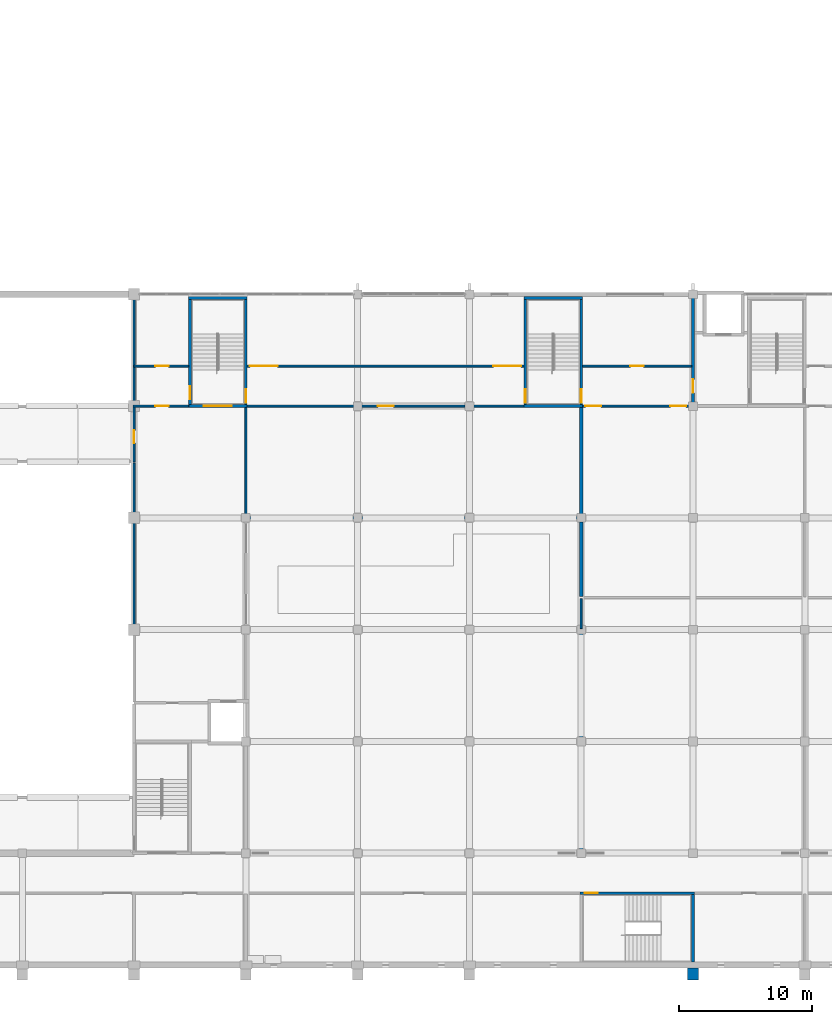
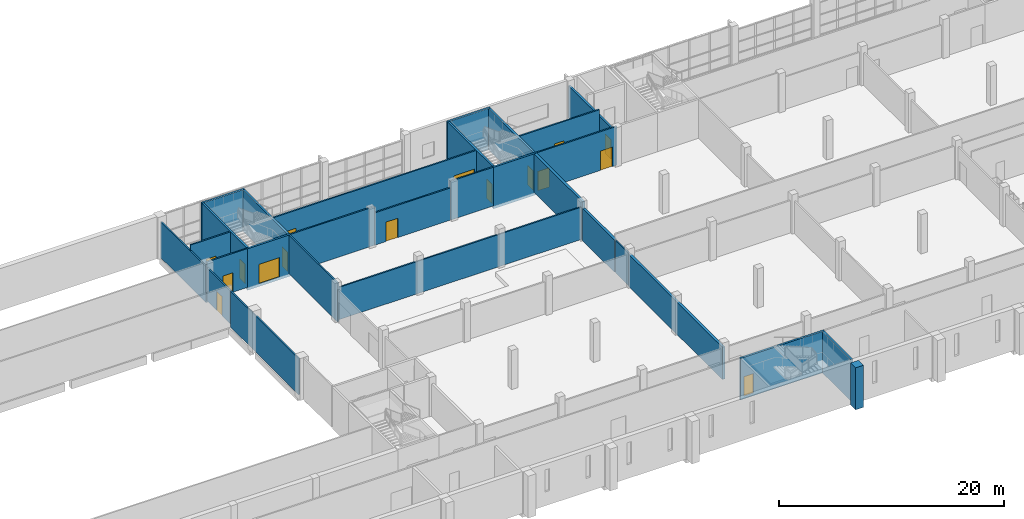
# One storey, part 28 of 64: 29 walls, 16 doors, 16 openings.
"""IFC4 building model written with IfcOpenShell, lengths in metres."""

from ifc_helpers import new_model, si_unit, direction, frame, frame_2d, origin, place, context, subcontext, project, spatial, rectangle, extrude, material, layer, layer_set, type_object, element, fill, save


model = new_model("IFC4")

# Units and contexts
model_context = context("Model", 3, precision=1e-05, world=origin(), true_north=direction((0.0, 1.0)))
body_context = subcontext(model_context, "Body", "Model", "MODEL_VIEW")
ifc_project = project(units=[si_unit("LENGTHUNIT", "METRE"), si_unit("AREAUNIT", "SQUARE_METRE"), si_unit("VOLUMEUNIT", "CUBIC_METRE"), si_unit("PLANEANGLEUNIT", "RADIAN"), si_unit("MASSUNIT", "GRAM", prefix="KILO")], contexts=[model_context])

# Site, building, storey
site_placement = place(None, origin())
site = spatial("IfcSite", under=ifc_project, at=site_placement, CompositionType="ELEMENT")
building_placement = place(site_placement, origin())
building = spatial("IfcBuilding", under=site, at=building_placement, Name="Rulbaag Community and Learning Centre", CompositionType="ELEMENT")
storey_placement = place(building_placement, frame((0.0, 0.0, 5.39990234375)))
storey = spatial("IfcBuildingStorey", under=building, at=storey_placement, Name="L01", CompositionType="ELEMENT", Elevation=5.39990234375)

# Walls
ifc_material_1 = material(Name="Concrete M30", Category="concrete")
ifc_layer_1 = layer(ifc_material_1, 0.25)
ifc_layer_set_1 = layer_set([ifc_layer_1], Name="CW-250 COMPARTMENT WALL 250")
wall_type_1 = type_object("IfcWallType", Name="CW-250 COMPARTMENT WALL 250", PredefinedType="SOLIDWALL", material=ifc_layer_set_1)
wall_1_placement = place(storey_placement, frame((117.60009765625, 8.47509765625, 0.0), z_axis=(0.0, 0.0, 1.0), x_axis=(0.0, 1.0, 0.0)))
element("IfcWall", 1, at=wall_1_placement, inside=storey, type_object=wall_type_1, Name="Fire wall L01 66", PredefinedType="SOLIDWALL", context=body_context, shape_type="SweptSolid", body=[
    extrude(rectangle(XDim=16.64990234375, YDim=0.25, at=frame_2d((8.324951171875, 0.0))), origin(), (0.0, 0.0, 1.0), 3.5),
])
wall_2_placement = place(storey_placement, frame((117.60009765625, 27.675048828125, 0.0), z_axis=(0.0, 0.0, 1.0), x_axis=(0.0, 1.0, 0.0)))
element("IfcWall", 2, at=wall_2_placement, inside=storey, type_object=wall_type_1, Name="Fire wall L01 68", PredefinedType="SOLIDWALL", context=body_context, shape_type="SweptSolid", body=[
    extrude(rectangle(XDim=5.619873046875, YDim=0.25, at=frame_2d((2.81005859375, 0.0))), origin(), (0.0, 0.0, 1.0), 3.5),
])
wall_3_placement = place(storey_placement, frame((117.60009765625, 33.294921875, 0.0), z_axis=(0.0, 0.0, 1.0), x_axis=(0.0, 1.0, 0.0)))
element("IfcWall", 3, at=wall_3_placement, inside=storey, type_object=wall_type_1, Name="Fire wall L01 68.2", PredefinedType="SOLIDWALL", context=body_context, shape_type="SweptSolid", body=[
    extrude(rectangle(XDim=8.80517578125, YDim=0.25, at=frame_2d((4.402587890625, 0.0))), origin(), (0.0, 0.0, 1.0), 4.2001953125),
])
ifc_material_2 = material(Name="Concrete M40", Category="concrete")
ifc_layer_2 = layer(ifc_material_2, 0.800048828125)
ifc_layer_set_2 = layer_set([ifc_layer_2], Name="EW-BTR")
wall_type_2 = type_object("IfcWallType", Name="EW-BTR", PredefinedType="SOLIDWALL", material=ifc_layer_set_2)
wall_4_placement = place(storey_placement, frame((126.0, -0.22509765625, -0.2998046875), z_axis=(0.0, 0.0, 1.0), x_axis=(0.0, -1.0, 0.0)))
element("IfcWall", 4, at=wall_4_placement, inside=storey, type_object=wall_type_2, Name="Buttress pier", PredefinedType="SOLIDWALL", context=body_context, shape_type="SweptSolid", body=[
    extrude(rectangle(XDim=0.89990234375, YDim=0.800048828125, at=frame_2d((0.449951171875, 0.0))), origin(), (0.0, 0.0, 1.0), 4.5498046875),
])

# Wall, opening, door
ifc_material_3 = material(Name="Concrete blockwork", Category="masonry")
ifc_layer_3 = layer(ifc_material_3, 0.199951171875)
ifc_layer_set_3 = layer_set([ifc_layer_3], Name="FW-200 FIRE WALL 200")
wall_type_3 = type_object("IfcWallType", Name="FW-200 FIRE WALL 200", PredefinedType="SOLIDWALL", material=ifc_layer_set_3)
wall_5_placement = place(storey_placement, frame((126.0, 42.10009765625, 0.0), z_axis=(0.0, 0.0, 1.0), x_axis=(0.0, 1.0, 0.0)))
wall_5 = element("IfcWall", 5, at=wall_5_placement, inside=storey, type_object=wall_type_3, Name="Fire wall L01 70", PredefinedType="SOLIDWALL", context=body_context, shape_type="SweptSolid", body=[
    extrude(rectangle(XDim=8.2998046875, YDim=0.199951171875, at=frame_2d((4.14990234375, 0.0))), origin(), (0.0, 0.0, 1.0), 3.5),
])
opening_1_placement = place(wall_5_placement, frame((0.89990234375, 0.0, 0.0)))
opening_1 = element("IfcOpeningElement", 6, at=opening_1_placement, cuts=wall_5, Name="Opening L01-D085", PredefinedType="OPENING", context=body_context, shape_type="SweptSolid", body=[
    extrude(rectangle(XDim=1.0, YDim=2.10009765625, at=frame_2d((0.5, 1.050048828125))), frame((0.0, 0.10986328125, 0.0), z_axis=(0.0, -1.0, 0.0), x_axis=(1.0, 0.0, 0.0)), (0.0, 0.0, 1.0), 0.219970703125),
])
ifc_material_4 = material(Name="Galvanised steel", Category="steel")
door_type_1 = type_object("IfcDoorType", Name="FD-1000 FIRE DOOR 1000 x 2100", OperationType="SINGLE_SWING_LEFT", PredefinedType="DOOR", material=ifc_material_4)
door_1_placement = place(opening_1_placement, origin())
door_1 = element("IfcDoor", 7, at=door_1_placement, inside=storey, type_object=door_type_1, Name="Door L01-D085", OperationType="SINGLE_SWING_LEFT", OverallHeight=2.10009765625, OverallWidth=1.0, PredefinedType="DOOR", context=body_context, shape_type="SweptSolid", body=[
    extrude(rectangle(XDim=1.0, YDim=2.10009765625, at=frame_2d((0.5, 1.050048828125))), frame((0.0, 0.02490234375, 0.0), z_axis=(0.0, -1.0, 0.0), x_axis=(1.0, 0.0, 0.0)), (0.0, 0.0, 1.0), 0.050048828125),
])
fill(opening_1, door_1)

# Walls
ifc_layer_4 = layer(ifc_material_3, 0.14990234375)
ifc_layer_set_4 = layer_set([ifc_layer_4], Name="IP-150 PARTITION 150")
wall_type_4 = type_object("IfcWallType", Name="IP-150 PARTITION 150", PredefinedType="PARTITIONING", material=ifc_layer_set_4)
wall_6_placement = place(storey_placement, frame((84.0, 25.60498046875, -0.2998046875), z_axis=(0.0, 0.0, 1.0), x_axis=(0.0, 1.0, 0.0)))
element("IfcWall", 8, at=wall_6_placement, inside=storey, type_object=wall_type_4, Name="Partition L01 74.2", PredefinedType="PARTITIONING", context=body_context, shape_type="SweptSolid", body=[
    extrude(rectangle(XDim=12.1201171875, YDim=0.14990234375, at=frame_2d((6.06005859375, 0.0))), origin(), (0.0, 0.0, 1.0), 3.89990234375),
])
wall_7_placement = place(storey_placement, frame((84.0, 42.074951171875, -0.2998046875), z_axis=(0.0, 0.0, 1.0), x_axis=(0.0, 1.0, 0.0)))
element("IfcWall", 9, at=wall_7_placement, inside=storey, type_object=wall_type_4, Name="Partition L01 76", PredefinedType="PARTITIONING", context=body_context, shape_type="SweptSolid", body=[
    extrude(rectangle(XDim=8.074951171875, YDim=0.14990234375, at=frame_2d((4.03759765625, 0.0))), origin(), (0.0, 0.0, 1.0), 3.89990234375),
])
wall_8_placement = place(storey_placement, frame((92.47509765625, 33.60009765625, 0.0), z_axis=(0.0, 0.0, 1.0), x_axis=(1.0, 0.0, 0.0)))
element("IfcWall", 10, at=wall_8_placement, inside=storey, type_object=wall_type_4, Name="Partition L01 22", PredefinedType="PARTITIONING", context=body_context, shape_type="SweptSolid", body=[
    extrude(rectangle(XDim=25.0, YDim=0.14990234375, at=frame_2d((12.5, 0.0))), origin(), (0.0, 0.0, 1.0), 3.5),
])

# Wall, opening, door
wall_9_placement = place(storey_placement, frame((83.925048828125, 42.0, 0.0), z_axis=(0.0, 0.0, 1.0), x_axis=(1.0, 0.0, 0.0)))
wall_9 = element("IfcWall", 11, at=wall_9_placement, inside=storey, type_object=wall_type_4, Name="Partition L01 24", PredefinedType="PARTITIONING", context=body_context, shape_type="SweptSolid", body=[
    extrude(rectangle(XDim=4.175048828125, YDim=0.14990234375, at=frame_2d((2.08740234375, 0.0))), origin(), (0.0, 0.0, 1.0), 4.2001953125),
])
opening_2_placement = place(wall_9_placement, frame((1.675048828125, 0.0, 0.0)))
opening_2 = element("IfcOpeningElement", 12, at=opening_2_placement, cuts=wall_9, Name="Opening L01-D061", PredefinedType="OPENING", context=body_context, shape_type="SweptSolid", body=[
    extrude(rectangle(XDim=1.0, YDim=2.10009765625, at=frame_2d((0.5, 1.050048828125))), frame((0.0, 0.0849609375, 0.0), z_axis=(0.0, -1.0, 0.0), x_axis=(1.0, 0.0, 0.0)), (0.0, 0.0, 1.0), 0.169921875),
])
ifc_material_5 = material(Name="Timber", Category="wood")
door_type_2 = type_object("IfcDoorType", Name="D-1000 DOOR 1000 x 2100", OperationType="SINGLE_SWING_LEFT", PredefinedType="DOOR", material=ifc_material_5)
door_2_placement = place(opening_2_placement, origin())
door_2 = element("IfcDoor", 13, at=door_2_placement, inside=storey, type_object=door_type_2, Name="Door L01-D061", OperationType="SINGLE_SWING_RIGHT", OverallHeight=2.10009765625, OverallWidth=1.0, PredefinedType="DOOR", context=body_context, shape_type="SweptSolid", body=[
    extrude(rectangle(XDim=1.0, YDim=2.10009765625, at=frame_2d((0.5, 1.050048828125))), frame((0.0, 0.02490234375, 0.0), z_axis=(0.0, -1.0, 0.0), x_axis=(1.0, 0.0, 0.0)), (0.0, 0.0, 1.0), 0.050048828125),
])
fill(opening_2, door_2)

# Wall
wall_10_placement = place(storey_placement, frame((92.5, 42.0, 0.0), z_axis=(0.0, 0.0, 1.0), x_axis=(1.0, 0.0, 0.0)))
element("IfcWall", 14, at=wall_10_placement, inside=storey, type_object=wall_type_4, Name="Partition L01 25", PredefinedType="PARTITIONING", context=body_context, shape_type="SweptSolid", body=[
    extrude(rectangle(XDim=8.60498046875, YDim=0.14990234375, at=frame_2d((4.302490234375, 0.0))), origin(), (0.0, 0.0, 1.0), 4.2001953125),
])

# Wall, opening, door
wall_11_placement = place(storey_placement, frame((101.10498046875, 42.0, 0.0), z_axis=(0.0, 0.0, 1.0), x_axis=(1.0, 0.0, 0.0)))
wall_11 = element("IfcWall", 15, at=wall_11_placement, inside=storey, type_object=wall_type_4, Name="Partition L01 25.2", PredefinedType="PARTITIONING", context=body_context, shape_type="SweptSolid", body=[
    extrude(rectangle(XDim=7.7900390625, YDim=0.14990234375, at=frame_2d((3.89501953125, 0.0))), origin(), (0.0, 0.0, 1.0), 3.5),
])
opening_3_placement = place(wall_11_placement, frame((1.195068359375, 0.0, 0.0)))
opening_3 = element("IfcOpeningElement", 16, at=opening_3_placement, cuts=wall_11, Name="Opening L01-D074", PredefinedType="OPENING", context=body_context, shape_type="SweptSolid", body=[
    extrude(rectangle(XDim=1.199951171875, YDim=2.10009765625, at=frame_2d((0.60009765625, 1.050048828125))), frame((0.0, 0.0849609375, 0.0), z_axis=(0.0, -1.0, 0.0), x_axis=(1.0, 0.0, 0.0)), (0.0, 0.0, 1.0), 0.169921875),
])
door_type_3 = type_object("IfcDoorType", Name="DC-1200 CLASSROOM DOOR 1200 x 2100", OperationType="SINGLE_SWING_LEFT", PredefinedType="DOOR", material=ifc_material_5)
door_3_placement = place(opening_3_placement, origin())
door_3 = element("IfcDoor", 17, at=door_3_placement, inside=storey, type_object=door_type_3, Name="Door L01-D074", OperationType="SINGLE_SWING_RIGHT", OverallHeight=2.10009765625, OverallWidth=1.199951171875, PredefinedType="DOOR", context=body_context, shape_type="SweptSolid", body=[
    extrude(rectangle(XDim=1.199951171875, YDim=2.10009765625, at=frame_2d((0.60009765625, 1.050048828125))), frame((0.0, 0.02490234375, 0.0), z_axis=(0.0, -1.0, 0.0), x_axis=(1.0, 0.0, 0.0)), (0.0, 0.0, 1.0), 0.050048828125),
])
fill(opening_3, door_3)

# Wall
wall_12_placement = place(storey_placement, frame((108.89501953125, 42.0, 0.0), z_axis=(0.0, 0.0, 1.0), x_axis=(1.0, 0.0, 0.0)))
element("IfcWall", 18, at=wall_12_placement, inside=storey, type_object=wall_type_4, Name="Partition L01 25.3", PredefinedType="PARTITIONING", context=body_context, shape_type="SweptSolid", body=[
    extrude(rectangle(XDim=4.405029296875, YDim=0.14990234375, at=frame_2d((2.20263671875, 0.0))), origin(), (0.0, 0.0, 1.0), 4.2001953125),
])

# Wall, openings, doors
wall_13_placement = place(storey_placement, frame((117.699951171875, 42.0, 0.0), z_axis=(0.0, 0.0, 1.0), x_axis=(1.0, 0.0, 0.0)))
wall_13 = element("IfcWall", 19, at=wall_13_placement, inside=storey, type_object=wall_type_4, Name="Partition L01 26", PredefinedType="PARTITIONING", context=body_context, shape_type="SweptSolid", body=[
    extrude(rectangle(XDim=8.300048828125, YDim=0.14990234375, at=frame_2d((4.14990234375, 0.0))), origin(), (0.0, 0.0, 1.0), 4.2001953125),
])
opening_4_placement = place(wall_13_placement, frame((0.199951171875, 0.0, 0.0)))
opening_4 = element("IfcOpeningElement", 20, at=opening_4_placement, cuts=wall_13, Name="Opening L01-D081", PredefinedType="OPENING", context=body_context, shape_type="SweptSolid", body=[
    extrude(rectangle(XDim=1.199951171875, YDim=2.10009765625, at=frame_2d((0.60009765625, 1.050048828125))), frame((0.0, 0.0849609375, 0.0), z_axis=(0.0, -1.0, 0.0), x_axis=(1.0, 0.0, 0.0)), (0.0, 0.0, 1.0), 0.169921875),
])
opening_5_placement = place(wall_13_placement, frame((6.60009765625, 0.0, 0.0)))
opening_5 = element("IfcOpeningElement", 21, at=opening_5_placement, cuts=wall_13, Name="Opening L01-D084", PredefinedType="OPENING", context=body_context, shape_type="SweptSolid", body=[
    extrude(rectangle(XDim=1.199951171875, YDim=2.10009765625, at=frame_2d((0.60009765625, 1.050048828125))), frame((0.0, 0.0849609375, 0.0), z_axis=(0.0, -1.0, 0.0), x_axis=(1.0, 0.0, 0.0)), (0.0, 0.0, 1.0), 0.169921875),
])
door_4_placement = place(opening_4_placement, origin())
door_4 = element("IfcDoor", 22, at=door_4_placement, inside=storey, type_object=door_type_3, Name="Door L01-D081", OperationType="SINGLE_SWING_RIGHT", OverallHeight=2.10009765625, OverallWidth=1.199951171875, PredefinedType="DOOR", context=body_context, shape_type="SweptSolid", body=[
    extrude(rectangle(XDim=1.199951171875, YDim=2.10009765625, at=frame_2d((0.60009765625, 1.050048828125))), frame((0.0, 0.02490234375, 0.0), z_axis=(0.0, -1.0, 0.0), x_axis=(1.0, 0.0, 0.0)), (0.0, 0.0, 1.0), 0.050048828125),
])
fill(opening_4, door_4)
door_5_placement = place(opening_5_placement, origin())
door_5 = element("IfcDoor", 23, at=door_5_placement, inside=storey, type_object=door_type_3, Name="Door L01-D084", OperationType="SINGLE_SWING_LEFT", OverallHeight=2.10009765625, OverallWidth=1.199951171875, PredefinedType="DOOR", context=body_context, shape_type="SweptSolid", body=[
    extrude(rectangle(XDim=1.199951171875, YDim=2.10009765625, at=frame_2d((0.60009765625, 1.050048828125))), frame((0.0, 0.02490234375, 0.0), z_axis=(0.0, -1.0, 0.0), x_axis=(1.0, 0.0, 0.0)), (0.0, 0.0, 1.0), 0.050048828125),
])
fill(opening_5, door_5)

# Wall, opening, door
wall_14_placement = place(storey_placement, frame((84.0, 45.0, 0.0), z_axis=(0.0, 0.0, 1.0), x_axis=(1.0, 0.0, 0.0)))
wall_14 = element("IfcWall", 24, at=wall_14_placement, inside=storey, type_object=wall_type_4, Name="Partition L01 31", PredefinedType="PARTITIONING", context=body_context, shape_type="SweptSolid", body=[
    extrude(rectangle(XDim=4.10009765625, YDim=0.14990234375, at=frame_2d((2.050048828125, 0.0))), origin(), (0.0, 0.0, 1.0), 4.2001953125),
])
opening_6_placement = place(wall_14_placement, frame((1.60009765625, 0.0, 0.0)))
opening_6 = element("IfcOpeningElement", 25, at=opening_6_placement, cuts=wall_14, Name="Opening L01-D062", PredefinedType="OPENING", context=body_context, shape_type="SweptSolid", body=[
    extrude(rectangle(XDim=1.0, YDim=2.10009765625, at=frame_2d((0.5, 1.050048828125))), frame((0.0, 0.0849609375, 0.0), z_axis=(0.0, -1.0, 0.0), x_axis=(1.0, 0.0, 0.0)), (0.0, 0.0, 1.0), 0.169921875),
])
door_6_placement = place(opening_6_placement, origin())
door_6 = element("IfcDoor", 26, at=door_6_placement, inside=storey, type_object=door_type_2, Name="Door L01-D062", OperationType="SINGLE_SWING_LEFT", OverallHeight=2.10009765625, OverallWidth=1.0, PredefinedType="DOOR", context=body_context, shape_type="SweptSolid", body=[
    extrude(rectangle(XDim=1.0, YDim=2.10009765625, at=frame_2d((0.5, 1.050048828125))), frame((0.0, 0.02490234375, 0.0), z_axis=(0.0, -1.0, 0.0), x_axis=(1.0, 0.0, 0.0)), (0.0, 0.0, 1.0), 0.050048828125),
])
fill(opening_6, door_6)

# Wall, openings, doors
wall_15_placement = place(storey_placement, frame((92.5, 45.0, 0.0), z_axis=(0.0, 0.0, 1.0), x_axis=(1.0, 0.0, 0.0)))
wall_15 = element("IfcWall", 27, at=wall_15_placement, inside=storey, type_object=wall_type_4, Name="Partition L01 32", PredefinedType="PARTITIONING", context=body_context, shape_type="SweptSolid", body=[
    extrude(rectangle(XDim=20.800048828125, YDim=0.14990234375, at=frame_2d((10.39990234375, 0.0))), origin(), (0.0, 0.0, 1.0), 4.2001953125),
])
opening_7_placement = place(wall_15_placement, frame((0.199951171875, 0.0, 0.0)))
opening_7 = element("IfcOpeningElement", 28, at=opening_7_placement, cuts=wall_15, Name="Opening L01-D073", PredefinedType="OPENING", context=body_context, shape_type="SweptSolid", body=[
    extrude(rectangle(XDim=2.10009765625, YDim=2.25, at=frame_2d((1.050048828125, 1.125))), frame((0.0, 0.0849609375, 0.0), z_axis=(0.0, -1.0, 0.0), x_axis=(1.0, 0.0, 0.0)), (0.0, 0.0, 1.0), 0.169921875),
])
opening_8_placement = place(wall_15_placement, frame((18.5, 0.0, 0.0)))
opening_8 = element("IfcOpeningElement", 29, at=opening_8_placement, cuts=wall_15, Name="Opening L01-D076", PredefinedType="OPENING", context=body_context, shape_type="SweptSolid", body=[
    extrude(rectangle(XDim=2.10009765625, YDim=2.25, at=frame_2d((1.050048828125, 1.125))), frame((0.0, 0.0849609375, 0.0), z_axis=(0.0, -1.0, 0.0), x_axis=(1.0, 0.0, 0.0)), (0.0, 0.0, 1.0), 0.169921875),
])
door_type_4 = type_object("IfcDoorType", Name="D-2100 LIBRARY ENTRANCE DOOR PAIR 2100 x 2250", OperationType="DOUBLE_DOOR_SINGLE_SWING", PredefinedType="DOOR", material=ifc_material_5)
door_7_placement = place(opening_7_placement, origin())
door_7 = element("IfcDoor", 30, at=door_7_placement, inside=storey, type_object=door_type_4, Name="Door L01-D073", OperationType="DOUBLE_DOOR_SINGLE_SWING", OverallHeight=2.25, OverallWidth=2.10009765625, PredefinedType="DOOR", context=body_context, shape_type="SweptSolid", body=[
    extrude(rectangle(XDim=2.10009765625, YDim=2.25, at=frame_2d((1.050048828125, 1.125))), frame((0.0, 0.02490234375, 0.0), z_axis=(0.0, -1.0, 0.0), x_axis=(1.0, 0.0, 0.0)), (0.0, 0.0, 1.0), 0.050048828125),
])
fill(opening_7, door_7)
door_8_placement = place(opening_8_placement, origin())
door_8 = element("IfcDoor", 31, at=door_8_placement, inside=storey, type_object=door_type_4, Name="Door L01-D076", OperationType="DOUBLE_DOOR_SINGLE_SWING", OverallHeight=2.25, OverallWidth=2.10009765625, PredefinedType="DOOR", context=body_context, shape_type="SweptSolid", body=[
    extrude(rectangle(XDim=2.10009765625, YDim=2.25, at=frame_2d((1.050048828125, 1.125))), frame((0.0, 0.02490234375, 0.0), z_axis=(0.0, -1.0, 0.0), x_axis=(1.0, 0.0, 0.0)), (0.0, 0.0, 1.0), 0.050048828125),
])
fill(opening_8, door_8)

# Wall, opening, door
wall_16_placement = place(storey_placement, frame((117.699951171875, 45.0, 0.0), z_axis=(0.0, 0.0, 1.0), x_axis=(1.0, 0.0, 0.0)))
wall_16 = element("IfcWall", 32, at=wall_16_placement, inside=storey, type_object=wall_type_4, Name="Partition L01 33", PredefinedType="PARTITIONING", context=body_context, shape_type="SweptSolid", body=[
    extrude(rectangle(XDim=8.199951171875, YDim=0.14990234375, at=frame_2d((4.10009765625, 0.0))), origin(), (0.0, 0.0, 1.0), 4.2001953125),
])
opening_9_placement = place(wall_16_placement, frame((3.60009765625, 0.0, 0.0)))
opening_9 = element("IfcOpeningElement", 33, at=opening_9_placement, cuts=wall_16, Name="Opening L01-D083", PredefinedType="OPENING", context=body_context, shape_type="SweptSolid", body=[
    extrude(rectangle(XDim=1.0, YDim=2.10009765625, at=frame_2d((0.5, 1.050048828125))), frame((0.0, 0.0849609375, 0.0), z_axis=(0.0, -1.0, 0.0), x_axis=(1.0, 0.0, 0.0)), (0.0, 0.0, 1.0), 0.169921875),
])
door_9_placement = place(opening_9_placement, origin())
door_9 = element("IfcDoor", 34, at=door_9_placement, inside=storey, type_object=door_type_2, Name="Door L01-D083", OperationType="SINGLE_SWING_RIGHT", OverallHeight=2.10009765625, OverallWidth=1.0, PredefinedType="DOOR", context=body_context, shape_type="SweptSolid", body=[
    extrude(rectangle(XDim=1.0, YDim=2.10009765625, at=frame_2d((0.5, 1.050048828125))), frame((0.0, 0.02490234375, 0.0), z_axis=(0.0, -1.0, 0.0), x_axis=(1.0, 0.0, 0.0)), (0.0, 0.0, 1.0), 0.050048828125),
])
fill(opening_9, door_9)

wall_17_placement = place(storey_placement, frame((84.0, 37.800048828125, 0.0), z_axis=(0.0, 0.0, 1.0), x_axis=(0.0, 1.0, 0.0)))
wall_17 = element("IfcWall", 35, at=wall_17_placement, inside=storey, type_object=wall_type_4, Name="Partition L01 59", PredefinedType="PARTITIONING", context=body_context, shape_type="SweptSolid", body=[
    extrude(rectangle(XDim=4.125, YDim=0.14990234375, at=frame_2d((2.0625, 0.0))), origin(), (0.0, 0.0, 1.0), 3.60009765625),
])
opening_10_placement = place(wall_17_placement, frame((1.39990234375, 0.0, 0.0)))
opening_10 = element("IfcOpeningElement", 36, at=opening_10_placement, cuts=wall_17, Name="Opening L01-D059", PredefinedType="OPENING", context=body_context, shape_type="SweptSolid", body=[
    extrude(rectangle(XDim=1.0, YDim=2.10009765625, at=frame_2d((0.5, 1.050048828125))), frame((0.0, 0.0849609375, 0.0), z_axis=(0.0, -1.0, 0.0), x_axis=(1.0, 0.0, 0.0)), (0.0, 0.0, 1.0), 0.169921875),
])
door_10_placement = place(opening_10_placement, origin())
door_10 = element("IfcDoor", 37, at=door_10_placement, inside=storey, type_object=door_type_2, Name="Door L01-D059", OperationType="SINGLE_SWING_LEFT", OverallHeight=2.10009765625, OverallWidth=1.0, PredefinedType="DOOR", context=body_context, shape_type="SweptSolid", body=[
    extrude(rectangle(XDim=1.0, YDim=2.10009765625, at=frame_2d((0.5, 1.050048828125))), frame((0.0, 0.02490234375, 0.0), z_axis=(0.0, -1.0, 0.0), x_axis=(1.0, 0.0, 0.0)), (0.0, 0.0, 1.0), 0.050048828125),
])
fill(opening_10, door_10)

# Walls
wall_18_placement = place(storey_placement, frame((92.39990234375, 33.294921875, 0.0), z_axis=(0.0, 0.0, 1.0), x_axis=(0.0, 1.0, 0.0)))
element("IfcWall", 38, at=wall_18_placement, inside=storey, type_object=wall_type_4, Name="Partition L01 63.2", PredefinedType="PARTITIONING", context=body_context, shape_type="SweptSolid", body=[
    extrude(rectangle(XDim=8.80517578125, YDim=0.14990234375, at=frame_2d((4.402587890625, 0.0))), origin(), (0.0, 0.0, 1.0), 4.2001953125),
])
wall_19_placement = place(storey_placement, frame((117.60009765625, 25.27490234375, 0.0), z_axis=(0.0, 0.0, 1.0), x_axis=(0.0, 1.0, 0.0)))
element("IfcWall", 39, at=wall_19_placement, inside=storey, type_object=wall_type_4, Name="Partition L01 67", PredefinedType="PARTITIONING", context=body_context, shape_type="SweptSolid", body=[
    extrude(rectangle(XDim=2.25, YDim=0.14990234375, at=frame_2d((1.125, 0.0))), origin(), (0.0, 0.0, 1.0), 3.5),
])

# Wall, opening, door
ifc_layer_5 = layer(ifc_material_2, 0.199951171875)
ifc_layer_set_5 = layer_set([ifc_layer_5], Name="WSE Stair enclosure wall 200 Concrete M40")
wall_type_5 = type_object("IfcWallType", Name="WSE Stair enclosure wall 200 Concrete M40", PredefinedType="SHEAR", material=ifc_layer_set_5)
wall_20_placement = place(storey_placement, frame((88.10009765625, 42.0, -0.2998046875), z_axis=(0.0, 0.0, 1.0), x_axis=(1.0, 0.0, 0.0)))
wall_20 = element("IfcWall", 40, at=wall_20_placement, inside=storey, type_object=wall_type_5, Name="Stair enclosure wall SH6 S L01", PredefinedType="SHEAR", context=body_context, shape_type="SweptSolid", body=[
    extrude(rectangle(XDim=4.39990234375, YDim=0.199951171875, at=frame_2d((2.199951171875, 0.0))), origin(), (0.0, 0.0, 1.0), 4.5),
])
opening_11_placement = place(wall_20_placement, frame((1.14990234375, 0.0, 0.300048828125)))
opening_11 = element("IfcOpeningElement", 41, at=opening_11_placement, cuts=wall_20, Name="Opening L01-D067", PredefinedType="OPENING", context=body_context, shape_type="SweptSolid", body=[
    extrude(rectangle(XDim=2.10009765625, YDim=2.10009765625, at=frame_2d((1.050048828125, 1.050048828125))), frame((0.0, 0.10986328125, 0.0), z_axis=(0.0, -1.0, 0.0), x_axis=(1.0, 0.0, 0.0)), (0.0, 0.0, 1.0), 0.219970703125),
])
door_type_5 = type_object("IfcDoorType", Name="FD-2100 FIRE DOOR 2100 x 2100", OperationType="DOUBLE_DOOR_SINGLE_SWING", PredefinedType="DOOR", material=ifc_material_4)
door_11_placement = place(opening_11_placement, origin())
door_11 = element("IfcDoor", 42, at=door_11_placement, inside=storey, type_object=door_type_5, Name="Door L01-D067", OperationType="DOUBLE_DOOR_SINGLE_SWING", OverallHeight=2.10009765625, OverallWidth=2.10009765625, PredefinedType="DOOR", context=body_context, shape_type="SweptSolid", body=[
    extrude(rectangle(XDim=2.10009765625, YDim=2.10009765625, at=frame_2d((1.050048828125, 1.050048828125))), frame((0.0, 0.02490234375, 0.0), z_axis=(0.0, -1.0, 0.0), x_axis=(1.0, 0.0, 0.0)), (0.0, 0.0, 1.0), 0.050048828125),
])
fill(opening_11, door_11)

# Wall
wall_21_placement = place(storey_placement, frame((88.10009765625, 50.125, -0.2998046875), z_axis=(0.0, 0.0, 1.0), x_axis=(1.0, 0.0, 0.0)))
element("IfcWall", 43, at=wall_21_placement, inside=storey, type_object=wall_type_5, Name="Stair enclosure wall SH6 N L01", PredefinedType="SHEAR", context=body_context, shape_type="SweptSolid", body=[
    extrude(rectangle(XDim=4.39990234375, YDim=0.199951171875, at=frame_2d((2.199951171875, 0.0))), origin(), (0.0, 0.0, 1.0), 4.5),
])

# Wall, opening, door
wall_22_placement = place(storey_placement, frame((88.199951171875, 42.10009765625, -0.2998046875), z_axis=(0.0, 0.0, 1.0), x_axis=(0.0, 1.0, 0.0)))
wall_22 = element("IfcWall", 44, at=wall_22_placement, inside=storey, type_object=wall_type_5, Name="Stair enclosure wall SH6 W L01", PredefinedType="SHEAR", context=body_context, shape_type="SweptSolid", body=[
    extrude(rectangle(XDim=7.9248046875, YDim=0.199951171875, at=frame_2d((3.96240234375, 0.0))), origin(), (0.0, 0.0, 1.0), 4.5),
])
opening_12_placement = place(wall_22_placement, frame((0.39990234375, 0.0, 0.300048828125)))
opening_12 = element("IfcOpeningElement", 45, at=opening_12_placement, cuts=wall_22, Name="Opening L01-D065", PredefinedType="OPENING", context=body_context, shape_type="SweptSolid", body=[
    extrude(rectangle(XDim=1.0, YDim=2.10009765625, at=frame_2d((0.5, 1.050048828125))), frame((0.0, 0.10986328125, 0.0), z_axis=(0.0, -1.0, 0.0), x_axis=(1.0, 0.0, 0.0)), (0.0, 0.0, 1.0), 0.219970703125),
])
door_12_placement = place(opening_12_placement, origin())
door_12 = element("IfcDoor", 46, at=door_12_placement, inside=storey, type_object=door_type_1, Name="Door L01-D065", OperationType="SINGLE_SWING_LEFT", OverallHeight=2.10009765625, OverallWidth=1.0, PredefinedType="DOOR", context=body_context, shape_type="SweptSolid", body=[
    extrude(rectangle(XDim=1.0, YDim=2.10009765625, at=frame_2d((0.5, 1.050048828125))), frame((0.0, 0.02490234375, 0.0), z_axis=(0.0, -1.0, 0.0), x_axis=(1.0, 0.0, 0.0)), (0.0, 0.0, 1.0), 0.050048828125),
])
fill(opening_12, door_12)

wall_23_placement = place(storey_placement, frame((92.39990234375, 42.10009765625, -0.2998046875), z_axis=(0.0, 0.0, 1.0), x_axis=(0.0, 1.0, 0.0)))
wall_23 = element("IfcWall", 47, at=wall_23_placement, inside=storey, type_object=wall_type_5, Name="Stair enclosure wall SH6 E L01", PredefinedType="SHEAR", context=body_context, shape_type="SweptSolid", body=[
    extrude(rectangle(XDim=7.9248046875, YDim=0.199951171875, at=frame_2d((3.96240234375, 0.0))), origin(), (0.0, 0.0, 1.0), 4.5),
])
opening_13_placement = place(wall_23_placement, frame((0.14990234375, 0.0, 0.300048828125)))
opening_13 = element("IfcOpeningElement", 48, at=opening_13_placement, cuts=wall_23, Name="Opening L01-D071", PredefinedType="OPENING", context=body_context, shape_type="SweptSolid", body=[
    extrude(rectangle(XDim=1.0, YDim=2.10009765625, at=frame_2d((0.5, 1.050048828125))), frame((0.0, 0.10986328125, 0.0), z_axis=(0.0, -1.0, 0.0), x_axis=(1.0, 0.0, 0.0)), (0.0, 0.0, 1.0), 0.219970703125),
])
door_13_placement = place(opening_13_placement, origin())
door_13 = element("IfcDoor", 49, at=door_13_placement, inside=storey, type_object=door_type_1, Name="Door L01-D071", OperationType="SINGLE_SWING_RIGHT", OverallHeight=2.10009765625, OverallWidth=1.0, PredefinedType="DOOR", context=body_context, shape_type="SweptSolid", body=[
    extrude(rectangle(XDim=1.0, YDim=2.10009765625, at=frame_2d((0.5, 1.050048828125))), frame((0.0, 0.02490234375, 0.0), z_axis=(0.0, -1.0, 0.0), x_axis=(1.0, 0.0, 0.0)), (0.0, 0.0, 1.0), 0.050048828125),
])
fill(opening_13, door_13)

# Walls
for number, where, z_axis, x_axis, name in (
    (50, (113.300048828125, 42.0, -0.2998046875), (0.0, 0.0, 1.0), (1.0, 0.0, 0.0), "Stair enclosure wall SH7 S L01"),
    (51, (113.300048828125, 50.125, -0.2998046875), (0.0, 0.0, 1.0), (1.0, 0.0, 0.0), "Stair enclosure wall SH7 N L01"),
):
    element("IfcWall", number, at=place(storey_placement, frame(where, z_axis=z_axis, x_axis=x_axis)), inside=storey, type_object=wall_type_5, Name=name, PredefinedType="SHEAR", context=body_context, shape_type="SweptSolid", body=[
        extrude(rectangle(XDim=4.39990234375, YDim=0.199951171875, at=frame_2d((2.199951171875, 0.0))), origin(), (0.0, 0.0, 1.0), 4.5),
    ])

# Wall, opening, door
wall_24_placement = place(storey_placement, frame((113.39990234375, 42.10009765625, -0.2998046875), z_axis=(0.0, 0.0, 1.0), x_axis=(0.0, 1.0, 0.0)))
wall_24 = element("IfcWall", 52, at=wall_24_placement, inside=storey, type_object=wall_type_5, Name="Stair enclosure wall SH7 W L01", PredefinedType="SHEAR", context=body_context, shape_type="SweptSolid", body=[
    extrude(rectangle(XDim=7.9248046875, YDim=0.199951171875, at=frame_2d((3.96240234375, 0.0))), origin(), (0.0, 0.0, 1.0), 4.5),
])
opening_14_placement = place(wall_24_placement, frame((0.14990234375, 0.0, 0.300048828125)))
opening_14 = element("IfcOpeningElement", 53, at=opening_14_placement, cuts=wall_24, Name="Opening L01-D077", PredefinedType="OPENING", context=body_context, shape_type="SweptSolid", body=[
    extrude(rectangle(XDim=1.0, YDim=2.10009765625, at=frame_2d((0.5, 1.050048828125))), frame((0.0, 0.10986328125, 0.0), z_axis=(0.0, -1.0, 0.0), x_axis=(1.0, 0.0, 0.0)), (0.0, 0.0, 1.0), 0.219970703125),
])
door_14_placement = place(opening_14_placement, origin())
door_14 = element("IfcDoor", 54, at=door_14_placement, inside=storey, type_object=door_type_1, Name="Door L01-D077", OperationType="SINGLE_SWING_LEFT", OverallHeight=2.10009765625, OverallWidth=1.0, PredefinedType="DOOR", context=body_context, shape_type="SweptSolid", body=[
    extrude(rectangle(XDim=1.0, YDim=2.10009765625, at=frame_2d((0.5, 1.050048828125))), frame((0.0, 0.02490234375, 0.0), z_axis=(0.0, -1.0, 0.0), x_axis=(1.0, 0.0, 0.0)), (0.0, 0.0, 1.0), 0.050048828125),
])
fill(opening_14, door_14)

wall_25_placement = place(storey_placement, frame((117.60009765625, 42.10009765625, -0.2998046875), z_axis=(0.0, 0.0, 1.0), x_axis=(0.0, 1.0, 0.0)))
wall_25 = element("IfcWall", 55, at=wall_25_placement, inside=storey, type_object=wall_type_5, Name="Stair enclosure wall SH7 E L01", PredefinedType="SHEAR", context=body_context, shape_type="SweptSolid", body=[
    extrude(rectangle(XDim=7.9248046875, YDim=0.199951171875, at=frame_2d((3.96240234375, 0.0))), origin(), (0.0, 0.0, 1.0), 4.5),
])
opening_15_placement = place(wall_25_placement, frame((0.14990234375, 0.0, 0.300048828125)))
opening_15 = element("IfcOpeningElement", 56, at=opening_15_placement, cuts=wall_25, Name="Opening L01-D079", PredefinedType="OPENING", context=body_context, shape_type="SweptSolid", body=[
    extrude(rectangle(XDim=1.0, YDim=2.10009765625, at=frame_2d((0.5, 1.050048828125))), frame((0.0, 0.10986328125, 0.0), z_axis=(0.0, -1.0, 0.0), x_axis=(1.0, 0.0, 0.0)), (0.0, 0.0, 1.0), 0.219970703125),
])
door_15_placement = place(opening_15_placement, origin())
door_15 = element("IfcDoor", 57, at=door_15_placement, inside=storey, type_object=door_type_1, Name="Door L01-D079", OperationType="SINGLE_SWING_RIGHT", OverallHeight=2.10009765625, OverallWidth=1.0, PredefinedType="DOOR", context=body_context, shape_type="SweptSolid", body=[
    extrude(rectangle(XDim=1.0, YDim=2.10009765625, at=frame_2d((0.5, 1.050048828125))), frame((0.0, 0.02490234375, 0.0), z_axis=(0.0, -1.0, 0.0), x_axis=(1.0, 0.0, 0.0)), (0.0, 0.0, 1.0), 0.050048828125),
])
fill(opening_15, door_15)

wall_26_placement = place(storey_placement, frame((117.5, 5.39990234375, -0.2998046875), z_axis=(0.0, 0.0, 1.0), x_axis=(1.0, 0.0, 0.0)))
wall_26 = element("IfcWall", 58, at=wall_26_placement, inside=storey, type_object=wall_type_5, Name="Stair enclosure wall SH11 N L01", PredefinedType="SHEAR", context=body_context, shape_type="SweptSolid", body=[
    extrude(rectangle(XDim=8.60009765625, YDim=0.199951171875, at=frame_2d((4.300048828125, 0.0))), origin(), (0.0, 0.0, 1.0), 4.5),
])
opening_16_placement = place(wall_26_placement, frame((0.35009765625, 0.0, 0.300048828125)))
opening_16 = element("IfcOpeningElement", 59, at=opening_16_placement, cuts=wall_26, Name="Opening L01-D080", PredefinedType="OPENING", context=body_context, shape_type="SweptSolid", body=[
    extrude(rectangle(XDim=1.0, YDim=2.10009765625, at=frame_2d((0.5, 1.050048828125))), frame((0.0, 0.10986328125, 0.0), z_axis=(0.0, -1.0, 0.0), x_axis=(1.0, 0.0, 0.0)), (0.0, 0.0, 1.0), 0.219970703125),
])
door_16_placement = place(opening_16_placement, origin())
door_16 = element("IfcDoor", 60, at=door_16_placement, inside=storey, type_object=door_type_1, Name="Door L01-D080", OperationType="SINGLE_SWING_LEFT", OverallHeight=2.10009765625, OverallWidth=1.0, PredefinedType="DOOR", context=body_context, shape_type="SweptSolid", body=[
    extrude(rectangle(XDim=1.0, YDim=2.10009765625, at=frame_2d((0.5, 1.050048828125))), frame((0.0, 0.02490234375, 0.0), z_axis=(0.0, -1.0, 0.0), x_axis=(1.0, 0.0, 0.0)), (0.0, 0.0, 1.0), 0.050048828125),
])
fill(opening_16, door_16)

# Wall
wall_27_placement = place(storey_placement, frame((126.0, 0.22509765625, -0.2998046875), z_axis=(0.0, 0.0, 1.0), x_axis=(0.0, 1.0, 0.0)))
element("IfcWall", 61, at=wall_27_placement, inside=storey, type_object=wall_type_5, Name="Stair enclosure wall SH11 E L01", PredefinedType="SHEAR", context=body_context, shape_type="SweptSolid", body=[
    extrude(rectangle(XDim=5.074951171875, YDim=0.199951171875, at=frame_2d((2.53759765625, 0.0))), origin(), (0.0, 0.0, 1.0), 4.5),
])

save(model, "model.ifc")
